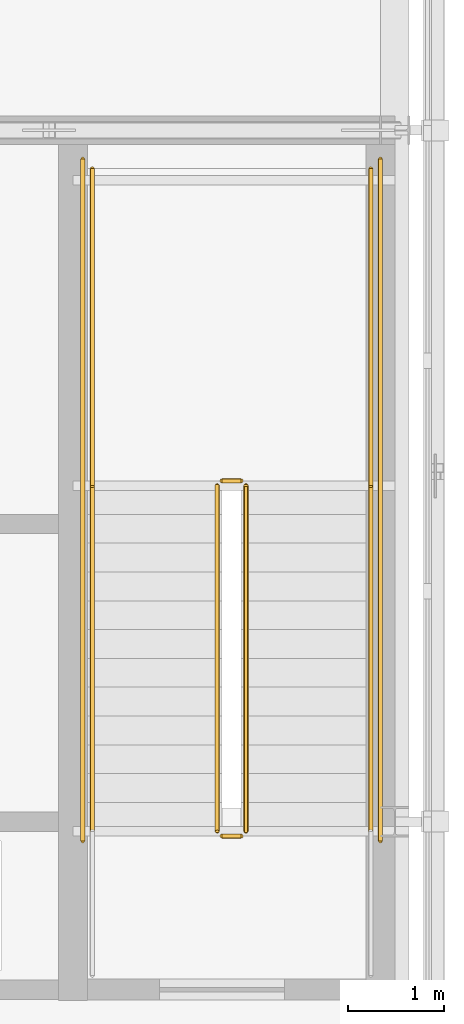
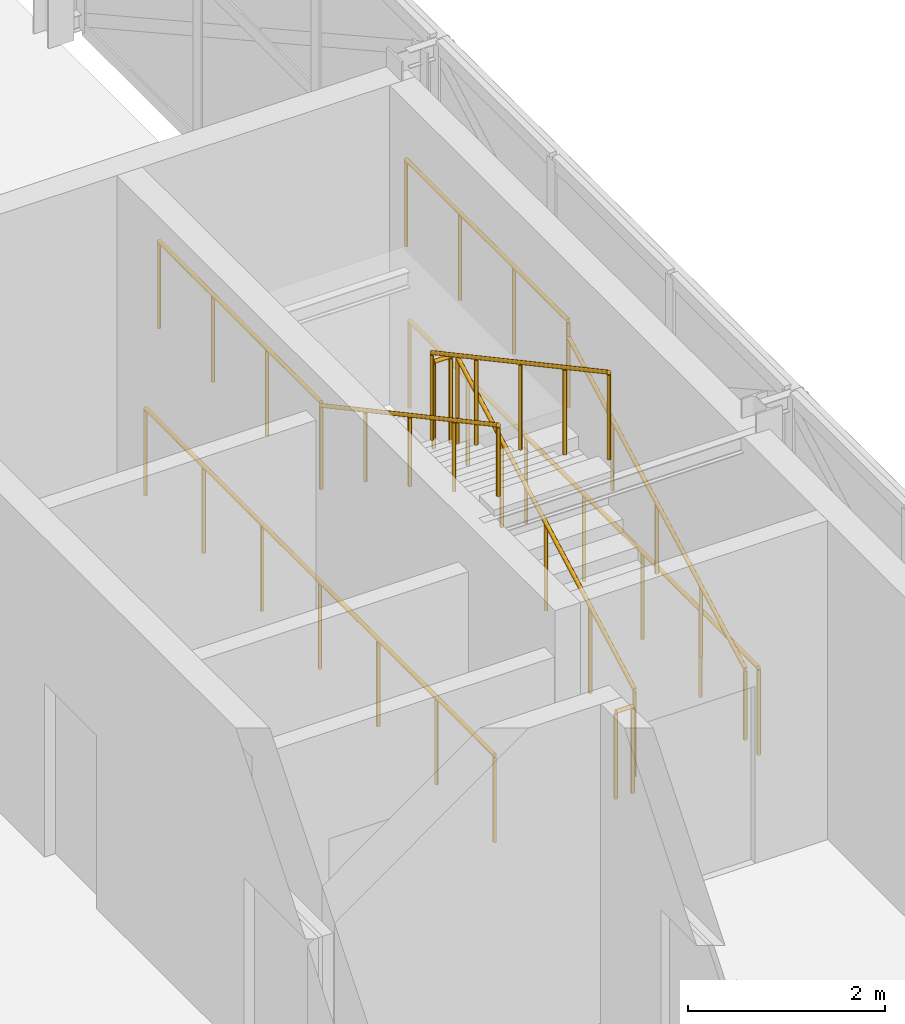
# One storey, part 122 of 126: 10 railings.
"""IFC4 building model written with IfcOpenShell, lengths in metres."""

from ifc_helpers import new_model, si_unit, direction, frame, origin, origin_2d, place, context, subcontext, project, spatial, circle, extrude, material, type_object, element, save


model = new_model("IFC4")

# Units and contexts
model_context = context("Model", 3, precision=1e-05, world=origin(), true_north=direction((0.0, 1.0)))
body_context = subcontext(model_context, "Body", "Model", "MODEL_VIEW")
ifc_project = project(units=[si_unit("LENGTHUNIT", "METRE"), si_unit("AREAUNIT", "SQUARE_METRE"), si_unit("VOLUMEUNIT", "CUBIC_METRE"), si_unit("PLANEANGLEUNIT", "RADIAN"), si_unit("MASSUNIT", "GRAM", prefix="KILO")], contexts=[model_context])

# Site, building, storey
site_placement = place(None, origin())
site = spatial("IfcSite", under=ifc_project, at=site_placement, CompositionType="ELEMENT")
building_placement = place(site_placement, origin())
building = spatial("IfcBuilding", under=site, at=building_placement, Name="Zlatovets Crest Museum", CompositionType="ELEMENT")
storey_placement = place(building_placement, frame((0.0, 0.0, 8.699951171875)))
storey = spatial("IfcBuildingStorey", under=building, at=storey_placement, Name="L02", CompositionType="ELEMENT", Elevation=8.699951171875)

# Railings
ifc_material_1 = material(Name="Painted steel safety guardrail", Category="steel")
railing_type_1 = type_object("IfcRailingType", Name="StairGuard_SG01", PredefinedType="GUARDRAIL", material=ifc_material_1)
railing_1_placement = place(storey_placement, frame((34.449951171875, 64.699951171875, 0.16162109375)))
element("IfcRailing", 1, at=railing_1_placement, inside=storey, type_object=railing_type_1, Name="L02 ST4 stair guard 1", PredefinedType="GUARDRAIL", context=body_context, shape_type="SweptSolid", body=[
    extrude(circle(Radius=0.02392578125, at=origin_2d()), frame((0.0, 0.0, 1.076171875), z_axis=(0.0, 0.880474934443, 0.474092701714), x_axis=(-1.0, 0.0, 0.0)), (0.0, 0.0, 1.0), 4.0888671875),
    extrude(circle(Radius=0.02099609375, at=origin_2d()), origin(), (0.0, 0.0, 1.0), 1.052001953125),
    extrude(circle(Radius=0.02099609375, at=origin_2d()), frame((0.0, 0.89990234375, 0.484619140625)), (0.0, 0.0, 1.0), 1.052001953125),
    extrude(circle(Radius=0.02099609375, at=origin_2d()), frame((0.0, 1.800048828125, 0.96923828125)), (0.0, 0.0, 1.0), 1.052001953125),
    extrude(circle(Radius=0.02099609375, at=origin_2d()), frame((0.0, 2.7001953125, 1.453857421875)), (0.0, 0.0, 1.0), 1.052001953125),
    extrude(circle(Radius=0.02099609375, at=origin_2d()), frame((0.0, 3.60009765625, 1.9384765625)), (0.0, 0.0, 1.0), 1.052001953125),
])
railing_2_placement = place(storey_placement, frame((34.39990234375, 68.35009765625, 2.10009765625)))
element("IfcRailing", 2, at=railing_2_placement, inside=storey, type_object=railing_type_1, Name="L02 ST4 stair guard 2", PredefinedType="GUARDRAIL", context=body_context, shape_type="SweptSolid", body=[
    extrude(circle(Radius=0.02392578125, at=origin_2d()), frame((0.0, 0.0, 1.076171875), z_axis=(-1.0, 0.0, 0.0), x_axis=(0.0, -1.0, 0.0)), (0.0, 0.0, 1.0), 0.199951171875),
    extrude(circle(Radius=0.02099609375, at=origin_2d()), origin(), (0.0, 0.0, 1.0), 1.052001953125),
    extrude(circle(Radius=0.02099609375, at=origin_2d()), frame((-0.199951171875, 0.0, 0.0)), (0.0, 0.0, 1.0), 1.052001953125),
])
for number, where, name in (
    (3, (35.75, 68.300048828125, 2.10009765625), "L02 ST4 stair guard 3"),
    (4, (32.85009765625, 68.300048828125, 2.10009765625), "L02 ST4 stair guard 4"),
):
    element("IfcRailing", number, at=place(storey_placement, frame(where)), inside=storey, type_object=railing_type_1, Name=name, PredefinedType="GUARDRAIL", context=body_context, shape_type="SweptSolid", body=[
        extrude(circle(Radius=0.02392578125, at=origin_2d()), frame((0.0, 0.0, 1.076171875), z_axis=(0.0, 1.0, 0.0), x_axis=(-1.0, 0.0, 0.0)), (0.0, 0.0, 1.0), 3.300048828125),
        extrude(circle(Radius=0.02099609375, at=origin_2d()), origin(), (0.0, 0.0, 1.0), 1.052001953125),
        extrude(circle(Radius=0.02099609375, at=origin_2d()), frame((0.0, 1.10009765625, 0.0)), (0.0, 0.0, 1.0), 1.052001953125),
        extrude(circle(Radius=0.02099609375, at=origin_2d()), frame((0.0, 2.199951171875, 0.0)), (0.0, 0.0, 1.0), 1.052001953125),
        extrude(circle(Radius=0.02099609375, at=origin_2d()), frame((0.0, 3.300048828125, 0.0)), (0.0, 0.0, 1.0), 1.052001953125),
    ])
railing_3_placement = place(storey_placement, frame((34.14990234375, 68.300048828125, 2.261474609375)))
element("IfcRailing", 5, at=railing_3_placement, inside=storey, type_object=railing_type_1, Name="L02 ST4 stair guard 5", PredefinedType="GUARDRAIL", context=body_context, shape_type="SweptSolid", body=[
    extrude(circle(Radius=0.02392578125, at=origin_2d()), frame((0.0, 0.0, 1.076171875), z_axis=(0.0, -0.880474934443, 0.474092701714), x_axis=(1.0, 0.0, 0.0)), (0.0, 0.0, 1.0), 4.0888671875),
    extrude(circle(Radius=0.02099609375, at=origin_2d()), origin(), (0.0, 0.0, 1.0), 1.052001953125),
    extrude(circle(Radius=0.02099609375, at=origin_2d()), frame((0.0, -0.89990234375, 0.484619140625)), (0.0, 0.0, 1.0), 1.052001953125),
    extrude(circle(Radius=0.02099609375, at=origin_2d()), frame((0.0, -1.800048828125, 0.96923828125)), (0.0, 0.0, 1.0), 1.052001953125),
    extrude(circle(Radius=0.02099609375, at=origin_2d()), frame((0.0, -2.7001953125, 1.453857421875)), (0.0, 0.0, 1.0), 1.052001953125),
    extrude(circle(Radius=0.02099609375, at=origin_2d()), frame((0.0, -3.60009765625, 1.9384765625)), (0.0, 0.0, 1.0), 1.052001953125),
])
railing_4_placement = place(storey_placement, frame((34.39990234375, 64.64990234375, 0.0)))
element("IfcRailing", 6, at=railing_4_placement, inside=storey, type_object=railing_type_1, Name="L02 ST4 stair guard 6", PredefinedType="GUARDRAIL", context=body_context, shape_type="SweptSolid", body=[
    extrude(circle(Radius=0.02392578125, at=origin_2d()), frame((0.0, 0.0, 1.076171875), z_axis=(-1.0, 0.0, 0.0), x_axis=(0.0, -1.0, 0.0)), (0.0, 0.0, 1.0), 0.199951171875),
    extrude(circle(Radius=0.02099609375, at=origin_2d()), origin(), (0.0, 0.0, 1.0), 1.052001953125),
    extrude(circle(Radius=0.02099609375, at=origin_2d()), frame((-0.199951171875, 0.0, 0.0)), (0.0, 0.0, 1.0), 1.052001953125),
])
for number, where, name in (
    (7, (35.85009765625, 64.60009765625, 0.0), "L02 ST4 stair guard 9"),
    (8, (32.75, 64.60009765625, 0.0), "L02 ST4 stair guard 10"),
):
    element("IfcRailing", number, at=place(storey_placement, frame(where)), inside=storey, type_object=railing_type_1, Name=name, PredefinedType="GUARDRAIL", context=body_context, shape_type="SweptSolid", body=[
        extrude(circle(Radius=0.02392578125, at=origin_2d()), frame((0.0, 0.0, 1.076171875), z_axis=(0.0, 1.0, 0.0), x_axis=(-1.0, 0.0, 0.0)), (0.0, 0.0, 1.0), 7.099853515625),
        extrude(circle(Radius=0.02099609375, at=origin_2d()), origin(), (0.0, 0.0, 1.0), 1.052001953125),
        extrude(circle(Radius=0.02099609375, at=origin_2d()), frame((0.0, 1.183349609375, 0.0)), (0.0, 0.0, 1.0), 1.052001953125),
        extrude(circle(Radius=0.02099609375, at=origin_2d()), frame((0.0, 2.36669921875, 0.0)), (0.0, 0.0, 1.0), 1.052001953125),
        extrude(circle(Radius=0.02099609375, at=origin_2d()), frame((0.0, 3.5498046875, 0.0)), (0.0, 0.0, 1.0), 1.052001953125),
        extrude(circle(Radius=0.02099609375, at=origin_2d()), frame((0.0, 4.733154296875, 0.0)), (0.0, 0.0, 1.0), 1.052001953125),
        extrude(circle(Radius=0.02099609375, at=origin_2d()), frame((0.0, 5.91650390625, 0.0)), (0.0, 0.0, 1.0), 1.052001953125),
        extrude(circle(Radius=0.02099609375, at=origin_2d()), frame((0.0, 7.099853515625, 0.0)), (0.0, 0.0, 1.0), 1.052001953125),
    ])
ifc_material_2 = material(Name="Brushed bronze stair handrail")
railing_type_2 = type_object("IfcRailingType", Name="StairHandrail_SH01", PredefinedType="HANDRAIL", material=ifc_material_2)
railing_5_placement = place(storey_placement, frame((35.75, 64.699951171875, 0.16162109375)))
element("IfcRailing", 9, at=railing_5_placement, inside=storey, type_object=railing_type_2, Name="L02 ST4 stair handrail 1", PredefinedType="HANDRAIL", context=body_context, shape_type="SweptSolid", body=[
    extrude(circle(Radius=0.02392578125, at=origin_2d()), frame((0.0, 0.0, 0.8759765625), z_axis=(0.0, 0.880474934443, 0.474092701714), x_axis=(-1.0, 0.0, 0.0)), (0.0, 0.0, 1.0), 4.0888671875),
    extrude(circle(Radius=0.02099609375, at=origin_2d()), origin(), (0.0, 0.0, 1.0), 0.851806640625),
    extrude(circle(Radius=0.02099609375, at=origin_2d()), frame((0.0, 0.89990234375, 0.484619140625)), (0.0, 0.0, 1.0), 0.851806640625),
    extrude(circle(Radius=0.02099609375, at=origin_2d()), frame((0.0, 1.800048828125, 0.96923828125)), (0.0, 0.0, 1.0), 0.851806640625),
    extrude(circle(Radius=0.02099609375, at=origin_2d()), frame((0.0, 2.7001953125, 1.453857421875)), (0.0, 0.0, 1.0), 0.851806640625),
    extrude(circle(Radius=0.02099609375, at=origin_2d()), frame((0.0, 3.60009765625, 1.9384765625)), (0.0, 0.0, 1.0), 0.851806640625),
])
railing_6_placement = place(storey_placement, frame((32.85009765625, 68.300048828125, 2.261474609375)))
element("IfcRailing", 10, at=railing_6_placement, inside=storey, type_object=railing_type_2, Name="L02 ST4 stair handrail 2", PredefinedType="HANDRAIL", context=body_context, shape_type="SweptSolid", body=[
    extrude(circle(Radius=0.02392578125, at=origin_2d()), frame((0.0, 0.0, 0.8759765625), z_axis=(0.0, -0.880474934443, 0.474092701714), x_axis=(1.0, 0.0, 0.0)), (0.0, 0.0, 1.0), 4.0888671875),
    extrude(circle(Radius=0.02099609375, at=origin_2d()), origin(), (0.0, 0.0, 1.0), 0.851806640625),
    extrude(circle(Radius=0.02099609375, at=origin_2d()), frame((0.0, -0.89990234375, 0.484619140625)), (0.0, 0.0, 1.0), 0.851806640625),
    extrude(circle(Radius=0.02099609375, at=origin_2d()), frame((0.0, -1.800048828125, 0.96923828125)), (0.0, 0.0, 1.0), 0.851806640625),
    extrude(circle(Radius=0.02099609375, at=origin_2d()), frame((0.0, -2.7001953125, 1.453857421875)), (0.0, 0.0, 1.0), 0.851806640625),
    extrude(circle(Radius=0.02099609375, at=origin_2d()), frame((0.0, -3.60009765625, 1.9384765625)), (0.0, 0.0, 1.0), 0.851806640625),
])

save(model, "model.ifc")
